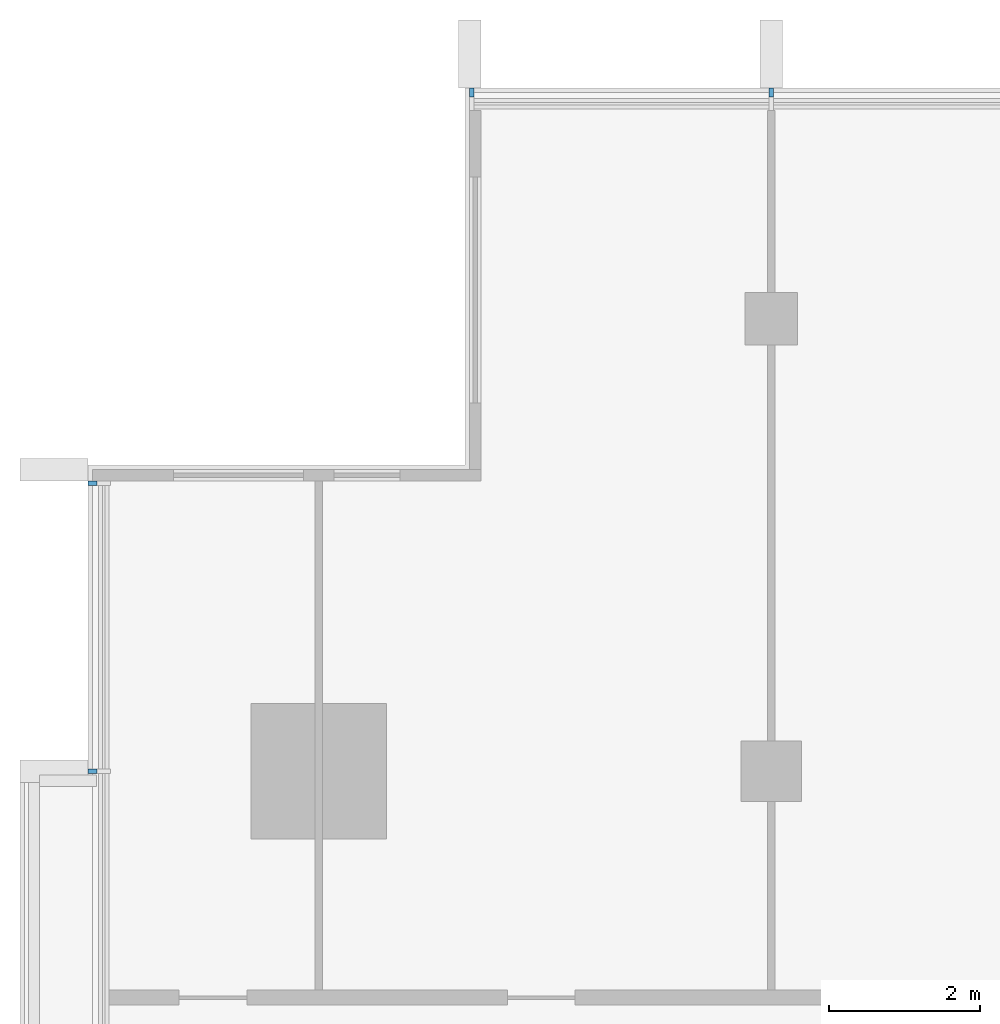
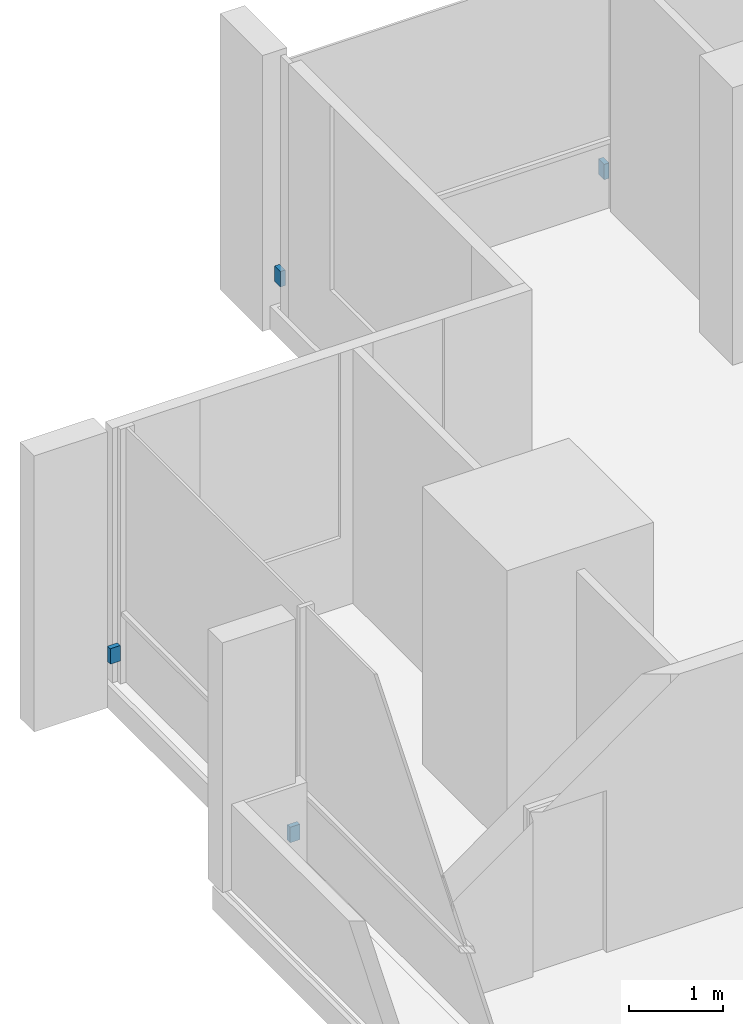
# One storey, part 14 of 16: 4 discrete accessories.
"""IFC4 building model written with IfcOpenShell, lengths in metres."""

from ifc_helpers import new_model, si_unit, direction, frame, origin, origin_2d, place, context, subcontext, project, spatial, rectangle, extrude, material, type_object, element, save


model = new_model("IFC4")

# Units and contexts
model_context = context("Model", 3, precision=1e-05, world=origin(), true_north=direction((0.0, 1.0)))
body_context = subcontext(model_context, "Body", "Model", "MODEL_VIEW")
ifc_project = project(units=[si_unit("LENGTHUNIT", "METRE"), si_unit("AREAUNIT", "SQUARE_METRE"), si_unit("VOLUMEUNIT", "CUBIC_METRE"), si_unit("PLANEANGLEUNIT", "RADIAN"), si_unit("MASSUNIT", "GRAM", prefix="KILO")], contexts=[model_context])

# Site, building, storey
site_placement = place(None, origin())
site = spatial("IfcSite", under=ifc_project, at=site_placement, CompositionType="ELEMENT")
building_placement = place(site_placement, origin())
building = spatial("IfcBuilding", under=site, at=building_placement, Name="Finial Court Residences", CompositionType="ELEMENT")
storey_placement = place(building_placement, frame((0.0, 0.0, 262.699951171875)))
storey = spatial("IfcBuildingStorey", under=building, at=storey_placement, Name="L66", CompositionType="ELEMENT", Elevation=262.699951171875)

# Discrete accessories
ifc_material = material(Name="Stainless steel 316", Category="steel")
discrete_accessory_type = type_object("IfcDiscreteAccessoryType", Name="Fin bracket, stainless steel 60 x 122 x 200", PredefinedType="BRACKET", material=ifc_material)
for number, where, z_axis, x_axis, name in (
    (1, (-14.469970703125, 16.498779296875, 0.30029296875), (0.0, 0.0, 1.0), (1.0, 0.0, 0.0), "E-L66-FIN-N1-BRK"),
    (2, (-10.5, 16.498779296875, 0.30029296875), (0.0, 0.0, 1.0), (1.0, 0.0, 0.0), "E-L66-FIN-N2-BRK"),
):
    element("IfcDiscreteAccessory", number, at=place(storey_placement, frame(where, z_axis=z_axis, x_axis=x_axis)), inside=storey, type_object=discrete_accessory_type, Name=name, PredefinedType="BRACKET", context=body_context, shape_type="SweptSolid", body=[
        extrude(rectangle(XDim=0.06005859375, YDim=0.12255859375, at=origin_2d()), origin(), (0.0, 0.0, 1.0), 0.199951171875),
    ])
for number, where, z_axis, x_axis, name in (
    (3, (-19.498779296875, 7.5, 0.30029296875), (0.0, 0.0, 1.0), (1.0, 0.0, 0.0), "E-L66-FIN-W25-BRK"),
    (4, (-19.498779296875, 11.320068359375, 0.30029296875), (0.0, 0.0, 1.0), (1.0, 0.0, 0.0), "E-L66-FIN-W26-BRK"),
):
    element("IfcDiscreteAccessory", number, at=place(storey_placement, frame(where, z_axis=z_axis, x_axis=x_axis)), inside=storey, type_object=discrete_accessory_type, Name=name, PredefinedType="BRACKET", context=body_context, shape_type="SweptSolid", body=[
        extrude(rectangle(XDim=0.12255859375, YDim=0.06005859375, at=origin_2d()), origin(), (0.0, 0.0, 1.0), 0.199951171875),
    ])

save(model, "model.ifc")
